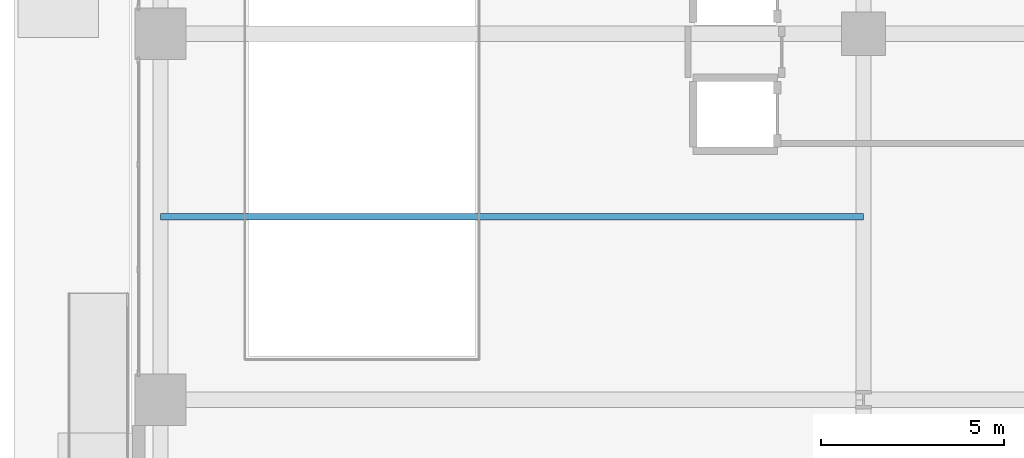
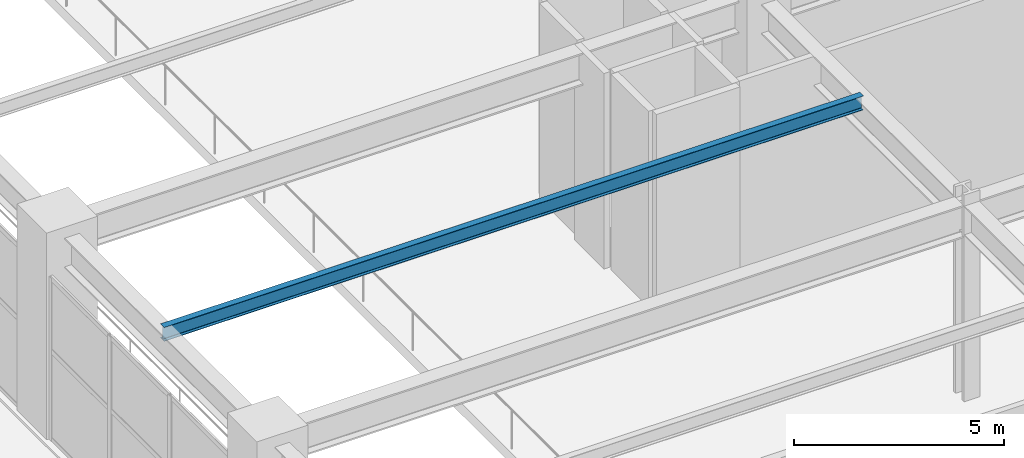
# One storey, part 8 of 31: 1 beam.
"""IFC4 building model written with IfcOpenShell, lengths in metres."""

from ifc_helpers import new_model, si_unit, direction, frame, origin, origin_2d, place, context, subcontext, project, spatial, i_section, extrude, material, material_profile, profile_set, type_object, element, save


model = new_model("IFC4")

# Units and contexts
model_context = context("Model", 3, precision=1e-05, world=origin(), true_north=direction((0.0, 1.0)))
body_context = subcontext(model_context, "Body", "Model", "MODEL_VIEW")
ifc_project = project(units=[si_unit("LENGTHUNIT", "METRE"), si_unit("AREAUNIT", "SQUARE_METRE"), si_unit("VOLUMEUNIT", "CUBIC_METRE"), si_unit("PLANEANGLEUNIT", "RADIAN"), si_unit("MASSUNIT", "GRAM", prefix="KILO")], contexts=[model_context])

# Site, building, storey
site_placement = place(None, origin())
site = spatial("IfcSite", under=ifc_project, at=site_placement, CompositionType="ELEMENT")
building_placement = place(site_placement, origin())
building = spatial("IfcBuilding", under=site, at=building_placement, Name="Soratama Intermodal Tower", CompositionType="ELEMENT")
storey_placement = place(building_placement, origin())
storey = spatial("IfcBuildingStorey", under=building, at=storey_placement, Name="L00", CompositionType="ELEMENT", Elevation=0.0)

# Beam
ifc_material = material(Name="Structural steel ASTM A992 Grade 50", Category="steel")
ifc_material_profile = material_profile(ifc_material, i_section(OverallWidth=0.177978515625, OverallDepth=0.406982421875, WebThickness=0.0078125, FlangeThickness=0.0126953125, FilletRadius=0.010009765625, at=origin_2d()), Name="W16X40")
ifc_profile_set = profile_set([ifc_material_profile], Name="Structural steel ASTM A992 Grade 50")
beam_type = type_object("IfcBeamType", Name="BM-JST-W16X40", PredefinedType="JOIST", material=ifc_profile_set)
beam_placement = place(storey_placement, frame((0.800048828125, 20.0, 5.4765625), z_axis=(1.0, 0.0, 0.0), x_axis=(0.0, 1.0, 0.0)))
element("IfcBeam", 1, at=beam_placement, inside=storey, type_object=beam_type, Name="JST-L00-W2", PredefinedType="JOIST", context=body_context, shape_type="SweptSolid", body=[
    extrude(i_section(OverallWidth=0.177978515625, OverallDepth=0.406982421875, WebThickness=0.0078125, FlangeThickness=0.0126953125, FilletRadius=0.010009765625, at=origin_2d()), origin(), (0.0, 0.0, 1.0), 19.199951171875),
])

save(model, "model.ifc")
